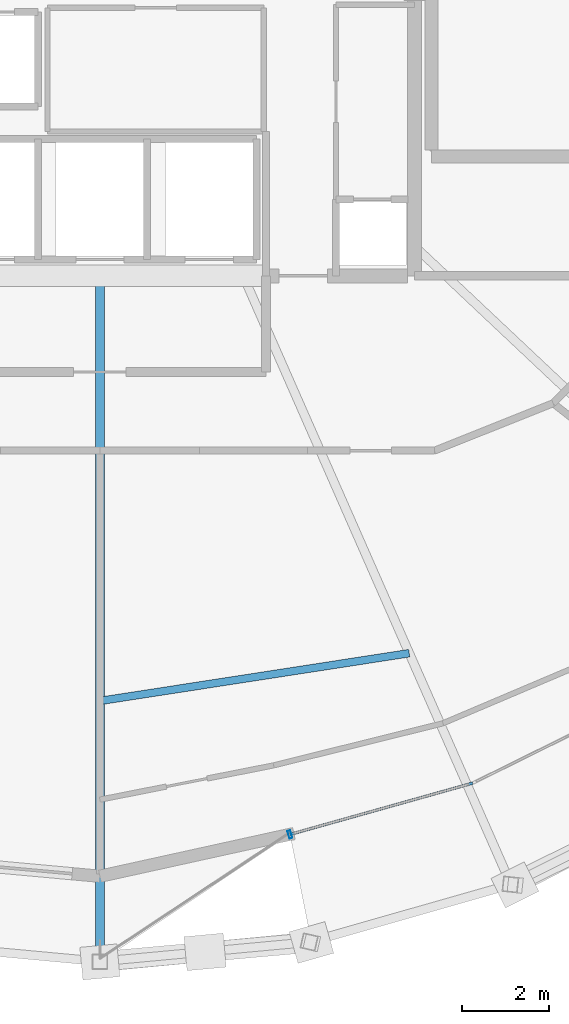
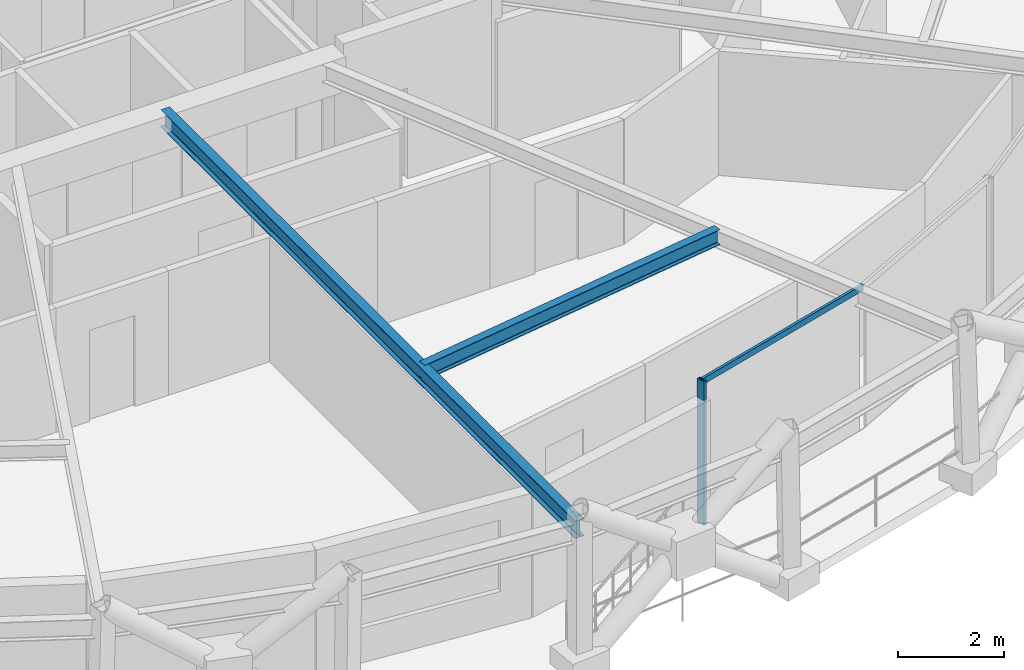
# One storey, part 2 of 17: 2 beams, 2 members, 1 element without a shape of its own.
"""IFC4 building model written with IfcOpenShell, lengths in metres."""

from ifc_helpers import new_model, si_unit, direction, frame, origin, origin_2d, place, context, subcontext, project, spatial, hollow_rectangle, i_section, extrude, material, layer, layer_set, material_profile, profile_set, type_object, element, aggregate, save


model = new_model("IFC4")

# Units and contexts
model_context = context("Model", 3, precision=1e-05, world=origin(), true_north=direction((0.0, 1.0)))
body_context = subcontext(model_context, "Body", "Model", "MODEL_VIEW")
ifc_project = project(units=[si_unit("LENGTHUNIT", "METRE"), si_unit("AREAUNIT", "SQUARE_METRE"), si_unit("VOLUMEUNIT", "CUBIC_METRE"), si_unit("PLANEANGLEUNIT", "RADIAN"), si_unit("MASSUNIT", "GRAM", prefix="KILO")], contexts=[model_context])

# Site, building, storey
site_placement = place(None, origin())
site = spatial("IfcSite", under=ifc_project, at=site_placement, CompositionType="ELEMENT")
building_placement = place(site_placement, origin())
building = spatial("IfcBuilding", under=site, at=building_placement, Name="Veldorina Hangang Commons", CompositionType="ELEMENT")
storey_placement = place(building_placement, frame((0.0, 0.0, 225.60009765625)))
storey = spatial("IfcBuildingStorey", under=building, at=storey_placement, Name="L58", CompositionType="ELEMENT", Elevation=225.60009765625)

# Beams
ifc_material_1 = material(Name="Steel SM355-TMC", Category="steel")
ifc_material_profile_1 = material_profile(ifc_material_1, i_section(OverallWidth=0.199951171875, OverallDepth=0.39990234375, WebThickness=0.008056640625, FlangeThickness=0.012939453125, FilletRadius=0.012939453125, at=origin_2d()), Name="H-400x200x8x13")
ifc_profile_set_1 = profile_set([ifc_material_profile_1], Name="Steel SM355-TMC")
beam_type_1 = type_object("IfcBeamType", Name="BM-FG400", PredefinedType="BEAM", material=ifc_profile_set_1)
beam_1_placement = place(storey_placement, frame((32.0, 16.550048828125, 3.159912109375), z_axis=(0.0, -1.0, 0.0), x_axis=(1.0, 0.0, 0.0)))
element("IfcBeam", 1, at=beam_1_placement, inside=storey, type_object=beam_type_1, Name="L58 radial floor girder 13", PredefinedType="BEAM", context=body_context, shape_type="SweptSolid", body=[
    extrude(i_section(OverallWidth=0.199951171875, OverallDepth=0.39990234375, WebThickness=0.008056640625, FlangeThickness=0.012939453125, FilletRadius=0.012939453125, at=origin_2d()), origin(), (0.0, 0.0, 1.0), 15.681884765625),
])
ifc_material_profile_2 = material_profile(ifc_material_1, i_section(OverallWidth=0.175048828125, OverallDepth=0.35009765625, WebThickness=0.007080078125, FlangeThickness=0.010986328125, FilletRadius=0.012939453125, at=origin_2d()), Name="H-350x175x7x11")
ifc_profile_set_2 = profile_set([ifc_material_profile_2], Name="Steel SM355-TMC")
beam_type_2 = type_object("IfcBeamType", Name="BM-JST350", PredefinedType="JOIST", material=ifc_profile_set_2)
beam_2_placement = place(storey_placement, frame((32.0, 6.8271484375, 3.184814453125), z_axis=(0.988300619629, 0.152518475084, 0.0), x_axis=(-0.152518475084, 0.988300619629, 0.0)))
element("IfcBeam", 2, at=beam_2_placement, inside=storey, type_object=beam_type_2, Name="L58 secondary floor joist 13", PredefinedType="JOIST", context=body_context, shape_type="SweptSolid", body=[
    extrude(i_section(OverallWidth=0.175048828125, OverallDepth=0.35009765625, WebThickness=0.007080078125, FlangeThickness=0.010986328125, FilletRadius=0.012939453125, at=origin_2d()), origin(), (0.0, 0.0, 1.0), 7.158447265625),
])

# Curtain wall, members
ifc_material_2 = material(Name="Glass Low-E Selective", Category="glass")
ifc_layer = layer(ifc_material_2, 0.179931640625)
ifc_layer_set = layer_set([ifc_layer], Name="Glass Low-E Selective")
curtain_wall_type = type_object("IfcCurtainWallType", Name="CW-SYS-Z3", PredefinedType="NOTDEFINED", material=ifc_layer_set)
curtain_wall_placement = place(storey_placement, origin())
curtain_wall = element("IfcCurtainWall", 3, at=curtain_wall_placement, inside=storey, type_object=curtain_wall_type, Name="L58 unitised curtain wall CW-L58-R1", PredefinedType="NOTDEFINED")
ifc_material_3 = material(Name="Aluminium Anodized AA6063-T6", Category="aluminium")
ifc_material_profile_3 = material_profile(ifc_material_3, hollow_rectangle(XDim=0.070068359375, YDim=0.179931640625, WallThickness=0.00390625, at=origin_2d()), Name="ALU-RHS-180x70x4")
ifc_profile_set_3 = profile_set([ifc_material_profile_3], Name="Aluminium Anodized AA6063-T6")
member_type_1 = type_object("IfcMemberType", Name="CW-MUL-180", PredefinedType="MULLION", material=ifc_profile_set_3)
member_1_placement = place(storey_placement, frame((36.3466796875, 3.77392578125, 0.0), z_axis=(0.0, 0.0, 1.0), x_axis=(0.962771992819, 0.270314797678, 0.0)))
member_1 = element("IfcMember", 4, at=member_1_placement, type_object=member_type_1, Name="CW-L58-R1 vertical mullion 1", PredefinedType="MULLION", context=body_context, shape_type="SweptSolid", body=[
    extrude(hollow_rectangle(XDim=0.070068359375, YDim=0.179931640625, WallThickness=0.00390625, at=origin_2d()), origin(), (0.0, 0.0, 1.0), 3.31982421875),
])
ifc_material_profile_4 = material_profile(ifc_material_3, hollow_rectangle(XDim=0.06005859375, YDim=0.139892578125, WallThickness=0.00341796875, at=origin_2d()), Name="ALU-RHS-140x60x3.5")
ifc_profile_set_4 = profile_set([ifc_material_profile_4], Name="Aluminium Anodized AA6063-T6")
member_type_2 = type_object("IfcMemberType", Name="CW-TRN-140", PredefinedType="USERDEFINED", material=ifc_profile_set_4)
member_2_placement = place(storey_placement, frame((36.3466796875, 3.77392578125, 3.27978515625), z_axis=(0.962768106699, 0.27032863837, 0.0), x_axis=(-0.27032863837, 0.962768106699, 0.0)))
member_2 = element("IfcMember", 5, at=member_2_placement, type_object=member_type_2, Name="CW-L58-R1 facet 1 transom 1", ObjectType="TRANSOM", PredefinedType="USERDEFINED", context=body_context, shape_type="SweptSolid", body=[
    extrude(hollow_rectangle(XDim=0.06005859375, YDim=0.139892578125, WallThickness=0.00341796875, at=origin_2d()), origin(), (0.0, 0.0, 1.0), 4.34130859375),
])
aggregate(curtain_wall, [member_1, member_2])

save(model, "model.ifc")
